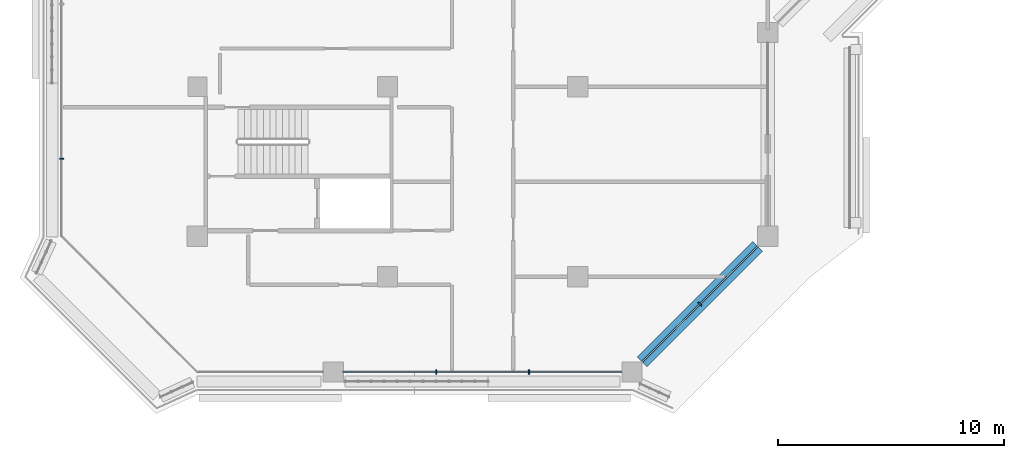
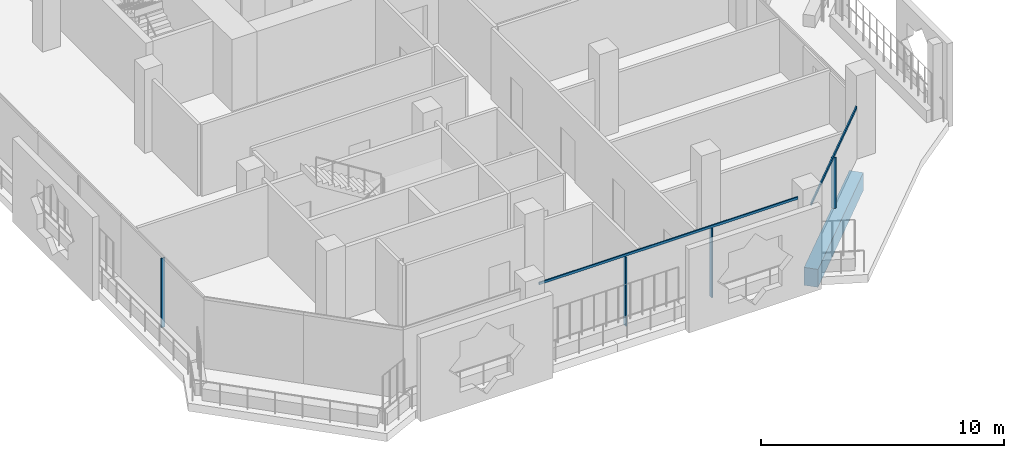
# One storey, part 2 of 22: 6 members, 1 beam, 3 elements without a shape of their own.
"""IFC4 building model written with IfcOpenShell, lengths in metres."""

import ifcopenshell
import ifcopenshell.guid

model = None  # the IFC model being written
_history = None  # IfcOwnerHistory: only IFC2X3 demands one
_inside = {}  # id of a spatial element -> (the spatial element, [elements in it])
_under = {}  # id of a project, library or spatial element -> (it, [spatial elements below it])
_declared = {}  # id of a project -> (the project, [libraries it declares])
_typed = {}  # id of a type object -> (the type object, [elements of that type])
_made_of = {}  # id of a material, layer set ... -> (it, [elements and type objects made of it])


def new_model(schema):
    """Start an empty IFC model of exactly this schema.

    Asked for "IFC4X3", IfcOpenShell would pick the latest addendum, in which some entities
    have other attributes; the version numbers below select the first issue.
    IFC2X3 requires an IfcOwnerHistory on every rooted entity: one is made here for all.
    """
    global model, _history
    if schema == "IFC4X3":
        model = ifcopenshell.file(schema_version=(4, 3, 0, 0))
    else:
        model = ifcopenshell.file(schema=schema)
    _inside.clear()
    _under.clear()
    _declared.clear()
    _typed.clear()
    _made_of.clear()
    _history = None
    if model.schema == "IFC2X3":
        org = make("IfcOrganization", Name="unknown")
        user = make(
            "IfcPersonAndOrganization",
            ThePerson=make("IfcPerson", FamilyName="unknown"),
            TheOrganization=org,
        )
        app = make(
            "IfcApplication",
            ApplicationDeveloper=org,
            Version="unknown",
            ApplicationFullName="unknown",
            ApplicationIdentifier="unknown",
        )
        _history = make(
            "IfcOwnerHistory",
            OwningUser=user,
            OwningApplication=app,
            ChangeAction="ADDED",
            CreationDate=0,
        )
    return model


def make(cls, **values):
    """One entity of the class cls with the attributes given. An attribute that is None is left unset."""
    return model.create_entity(
        cls, **{name: value for name, value in values.items() if value is not None}
    )


def rooted(cls, **values):
    """An entity with a GlobalId (a new one), such as an element, a storey or a relation."""
    return make(cls, GlobalId=ifcopenshell.guid.new(), OwnerHistory=_history, **values)


def si_unit(unit_type, name, prefix=None):
    """IfcSIUnit, for example si_unit("LENGTHUNIT", "METRE", prefix="MILLI")."""
    return make("IfcSIUnit", UnitType=unit_type, Prefix=prefix, Name=name)


def assignment(units):
    """IfcUnitAssignment: the units of a project."""
    return None if units is None else make("IfcUnitAssignment", Units=units)


def point(xyz):
    """IfcCartesianPoint."""
    return None if xyz is None else make("IfcCartesianPoint", Coordinates=xyz)


def direction(xyz):
    """IfcDirection."""
    return None if xyz is None else make("IfcDirection", DirectionRatios=xyz)


def frame(location, z_axis=None, x_axis=None):
    """IfcAxis2Placement3D, a coordinate frame: its origin and axes. An axis left out is left unset."""
    return make(
        "IfcAxis2Placement3D",
        Location=point(location),
        Axis=direction(z_axis),
        RefDirection=direction(x_axis),
    )


def frame_2d(location, x_axis=None):
    """IfcAxis2Placement2D, a coordinate frame in the plane: its origin and x axis."""
    return make(
        "IfcAxis2Placement2D", Location=point(location), RefDirection=direction(x_axis)
    )


def origin():
    """The frame at (0, 0, 0) with its axes left unset."""
    return frame((0.0, 0.0, 0.0))


def origin_2d():
    """The frame at (0, 0) in the plane with its x axis left unset."""
    return frame_2d((0.0, 0.0))


def place(relative_to, where):
    """IfcLocalPlacement: puts the frame where relative to a parent placement (None: the world)."""
    return make(
        "IfcLocalPlacement", PlacementRelTo=relative_to, RelativePlacement=where
    )


def context(
    kind, dimensions, precision=None, world=None, true_north=None, identifier=None
):
    """IfcGeometricRepresentationContext, for example the 3D "Model" context."""
    return make(
        "IfcGeometricRepresentationContext",
        ContextIdentifier=identifier,
        ContextType=kind,
        CoordinateSpaceDimension=dimensions,
        Precision=precision,
        WorldCoordinateSystem=world,
        TrueNorth=true_north,
    )


def subcontext(parent, identifier, kind, view, scale=None):
    """IfcGeometricRepresentationSubContext, for example "Body" below "Model"."""
    return make(
        "IfcGeometricRepresentationSubContext",
        ContextIdentifier=identifier,
        ContextType=kind,
        ParentContext=parent,
        TargetScale=scale,
        TargetView=view,
    )


def project(units=None, contexts=None):
    """IfcProject with its units and contexts."""
    return rooted(
        "IfcProject",
        Name="project",
        RepresentationContexts=contexts,
        UnitsInContext=assignment(units),
    )


def spatial(cls, under=None, at=None, **own):
    """A site, building, storey or space (cls), placed at a placement, below another one or the project."""
    s = rooted(cls, ObjectPlacement=at, **own)
    if under is not None:
        _under.setdefault(under.id(), (under, []))[1].append(s)
    return s


def profile(cls, at=None, kind="AREA", **sizes):
    """A parametric profile (cls). Its sizes go by their IFC names, for example OverallWidth=200.0."""
    return make(cls, ProfileType=kind, Position=at, **sizes)


def rectangle(**sizes):
    """IfcRectangleProfileDef."""
    return profile("IfcRectangleProfileDef", **sizes)


def extrude(swept, where, along, depth):
    """IfcExtrudedAreaSolid: the profile swept, set in the frame where, extruded along a direction by depth."""
    return make(
        "IfcExtrudedAreaSolid",
        SweptArea=swept,
        Position=where,
        ExtrudedDirection=direction(along),
        Depth=depth,
    )


def shape(context_of_items, identifier, shape_type, items):
    """IfcShapeRepresentation: the items that make up one representation, for example the "Body"."""
    return make(
        "IfcShapeRepresentation",
        ContextOfItems=context_of_items,
        RepresentationIdentifier=identifier,
        RepresentationType=shape_type,
        Items=items,
    )


def material(Name=None, Category=None):
    """IfcMaterial."""
    return make("IfcMaterial", Name=Name, Category=Category)


def layer(
    of_material, thickness, ventilated=None, Name=None, Category=None, Priority=None
):
    """IfcMaterialLayer: one layer of a wall or slab, of a material (None: an air gap)."""
    return make(
        "IfcMaterialLayer",
        Material=of_material,
        LayerThickness=thickness,
        IsVentilated=ventilated,
        Name=Name,
        Category=Category,
        Priority=Priority,
    )


def layer_set(layers, Name=None):
    """IfcMaterialLayerSet."""
    return make("IfcMaterialLayerSet", MaterialLayers=layers, LayerSetName=Name)


def material_profile(
    of_material, cross_section, Name=None, Category=None, Priority=None
):
    """IfcMaterialProfile: a cross section and its material."""
    return make(
        "IfcMaterialProfile",
        Name=Name,
        Material=of_material,
        Profile=cross_section,
        Priority=Priority,
        Category=Category,
    )


def profile_set(profiles, Name=None, composite=None):
    """IfcMaterialProfileSet."""
    return make(
        "IfcMaterialProfileSet",
        Name=Name,
        MaterialProfiles=profiles,
        CompositeProfile=composite,
    )


def made_of(thing, what):
    """Note that an element or type object is made of a material, layer set ...; save() writes the relation."""
    if what is not None:
        _made_of.setdefault(what.id(), (what, []))[1].append(thing)
    return thing


def type_object(cls, material=None, **own):
    """A type object (cls), such as IfcWallType, which elements share."""
    return made_of(rooted(cls, **own), material)


def element(
    cls,
    number,
    at=None,
    inside=None,
    cuts=None,
    type_object=None,
    material=None,
    context=None,
    identifier="Body",
    shape_type=None,
    held_by="IfcProductDefinitionShape",
    body=None,
    shapes=None,
    **own,
):
    """One element of the class cls, such as IfcWall. Its Tag is "e" and its number.

    at: its placement. inside: the storey or other place that contains it. cuts: it is an
    opening in that element (IfcRelVoidsElement). A single representation is given by context,
    identifier, shape_type and body (its items); several are given by shapes. held_by: the class
    of the entity that holds the representations. save() writes the other relations.
    """
    e = rooted(cls, Tag="e%d" % number, ObjectPlacement=at, **own)
    if body is not None:
        shapes = [shape(context, identifier, shape_type, body)]
    if shapes is not None:
        e.Representation = make(held_by, Representations=shapes)
    if inside is not None:
        _inside.setdefault(inside.id(), (inside, []))[1].append(e)
    if cuts is not None:
        rooted(
            "IfcRelVoidsElement", RelatingBuildingElement=cuts, RelatedOpeningElement=e
        )
    if type_object is not None:
        _typed.setdefault(type_object.id(), (type_object, []))[1].append(e)
    return made_of(e, material)


def aggregate(whole, parts):
    """IfcRelAggregates: a whole, such as a stair, and the parts it consists of."""
    return rooted("IfcRelAggregates", RelatingObject=whole, RelatedObjects=parts)


def save(model, path):
    """Write the relations noted so far, then the file.

    IfcRelAggregates (storeys below a building ...), IfcRelContainedInSpatialStructure (elements
    in a storey), IfcRelDefinesByType, IfcRelAssociatesMaterial and IfcRelDeclares: one each for
    every whole, place, type object, material and project.
    """
    for whole, parts in _under.values():
        aggregate(whole, parts)
    for where, things in _inside.values():
        rooted(
            "IfcRelContainedInSpatialStructure",
            RelatedElements=things,
            RelatingStructure=where,
        )
    for kind, things in _typed.values():
        rooted("IfcRelDefinesByType", RelatedObjects=things, RelatingType=kind)
    for what, things in _made_of.values():
        rooted("IfcRelAssociatesMaterial", RelatedObjects=things, RelatingMaterial=what)
    for by, libraries in _declared.values():
        rooted("IfcRelDeclares", RelatingContext=by, RelatedDefinitions=libraries)
    model.write(path)


model = new_model("IFC4")

# Units and contexts
model_context = context("Model", 3, precision=1e-05, world=origin(), true_north=direction((0.0, 1.0)))
body_context = subcontext(model_context, "Body", "Model", "MODEL_VIEW")
ifc_project = project(units=[si_unit("LENGTHUNIT", "METRE"), si_unit("AREAUNIT", "SQUARE_METRE"), si_unit("VOLUMEUNIT", "CUBIC_METRE"), si_unit("PLANEANGLEUNIT", "RADIAN"), si_unit("MASSUNIT", "GRAM", prefix="KILO")], contexts=[model_context])

# Site, building, storey
site_placement = place(None, origin())
site = spatial("IfcSite", under=ifc_project, at=site_placement, CompositionType="ELEMENT")
building_placement = place(site_placement, origin())
building = spatial("IfcBuilding", under=site, at=building_placement, Name="Kawkab Arch Medical Tower", CompositionType="ELEMENT")
storey_placement = place(building_placement, frame((0.0, 0.0, 255.800048828125)))
storey = spatial("IfcBuildingStorey", under=building, at=storey_placement, Name="L59", CompositionType="ELEMENT", Elevation=255.800048828125)

# Curtain wall, member
ifc_material_1 = material(Name="Bronze anodised aluminium curtain wall frame", Category="aluminium")
ifc_layer_1 = layer(ifc_material_1, 0.159912109375)
ifc_layer_set_1 = layer_set([ifc_layer_1], Name="Bronze anodised aluminium curtain wall frame")
curtain_wall_type_1 = type_object("IfcCurtainWallType", Name="CW1 ward curtain wall", PredefinedType="NOTDEFINED", material=ifc_layer_set_1)
placement = place(storey_placement, origin())
curtain_wall_1 = element("IfcCurtainWall", 1, at=placement, inside=storey, type_object=curtain_wall_type_1, Name="CW1 Ward curtain wall R01", PredefinedType="NOTDEFINED")
ifc_material_2 = material(Name="Bronze anodised aluminium curtain wall frame", Category="aluminium")
ifc_material_profile_1 = material_profile(ifc_material_2, rectangle(XDim=0.179931640625, YDim=0.06005859375, at=origin_2d()), Name="AL 60x180")
ifc_profile_set_1 = profile_set([ifc_material_profile_1], Name="Bronze anodised aluminium curtain wall frame")
member_type_1 = type_object("IfcMemberType", Name="CW1 mullion 60 x 180", PredefinedType="MULLION", material=ifc_profile_set_1)
member_1_placement = place(storey_placement, frame((-6.0, -36.780029296875, 0.0), z_axis=(0.0, 0.0, 1.0), x_axis=(1.0, 0.0, 0.0)))
member_1 = element("IfcMember", 2, at=member_1_placement, type_object=member_type_1, Name="CW1 mullion 5.1", PredefinedType="MULLION", context=body_context, shape_type="SweptSolid", body=[
    extrude(rectangle(XDim=0.179931640625, YDim=0.06005859375, at=origin_2d()), origin(), (0.0, 0.0, 1.0), 3.47998046875),
])
aggregate(curtain_wall_1, [member_1])

# Curtain wall, members
curtain_wall_2 = element("IfcCurtainWall", 3, at=placement, inside=storey, type_object=curtain_wall_type_1, Name="CW1 Ward curtain wall R03", PredefinedType="NOTDEFINED")
member_2_placement = place(storey_placement, frame((10.550048828125, -46.199951171875, 0.0), z_axis=(0.0, 0.0, 1.0), x_axis=(0.0, 1.0, 0.0)))
member_2 = element("IfcMember", 4, at=member_2_placement, type_object=member_type_1, Name="CW1 mullion 2.1", PredefinedType="MULLION", context=body_context, shape_type="SweptSolid", body=[
    extrude(rectangle(XDim=0.179931640625, YDim=0.06005859375, at=origin_2d()), origin(), (0.0, 0.0, 1.0), 3.47998046875),
])
member_3_placement = place(storey_placement, frame((14.64990234375, -46.199951171875, 0.0), z_axis=(0.0, 0.0, 1.0), x_axis=(0.0, 1.0, 0.0)))
member_3 = element("IfcMember", 5, at=member_3_placement, type_object=member_type_1, Name="CW1 mullion 2.2", PredefinedType="MULLION", context=body_context, shape_type="SweptSolid", body=[
    extrude(rectangle(XDim=0.179931640625, YDim=0.06005859375, at=origin_2d()), origin(), (0.0, 0.0, 1.0), 3.47998046875),
])
ifc_material_3 = material(Name="Bronze anodised aluminium curtain wall frame", Category="aluminium")
ifc_material_profile_2 = material_profile(ifc_material_3, rectangle(XDim=0.06005859375, YDim=0.1201171875, at=origin_2d()), Name="AL 60x120")
ifc_profile_set_2 = profile_set([ifc_material_profile_2], Name="Bronze anodised aluminium curtain wall frame")
member_type_2 = type_object("IfcMemberType", Name="CW1 transom 120 x 60", PredefinedType="USERDEFINED", material=ifc_profile_set_2)
member_4_placement = place(storey_placement, frame((6.449951171875, -46.199951171875, 3.5400390625), z_axis=(1.0, 0.0, 0.0), x_axis=(0.0, 1.0, 0.0)))
member_4 = element("IfcMember", 6, at=member_4_placement, type_object=member_type_2, Name="CW1 transom 2", ObjectType="TRANSOM", PredefinedType="USERDEFINED", context=body_context, shape_type="SweptSolid", body=[
    extrude(rectangle(XDim=0.06005859375, YDim=0.1201171875, at=origin_2d()), origin(), (0.0, 0.0, 1.0), 12.300048828125),
])
aggregate(curtain_wall_2, [member_4, member_2, member_3])

ifc_material_4 = material(Name="Bronze anodised aluminium curtain wall frame", Category="aluminium")
ifc_layer_2 = layer(ifc_material_4, 0.159912109375)
ifc_layer_set_2 = layer_set([ifc_layer_2], Name="Bronze anodised aluminium curtain wall frame")
curtain_wall_type_2 = type_object("IfcCurtainWallType", Name="CW2 chamfer curtain wall", PredefinedType="NOTDEFINED", material=ifc_layer_set_2)
curtain_wall_3 = element("IfcCurtainWall", 7, at=placement, inside=storey, type_object=curtain_wall_type_2, Name="CW2 Chamfer curtain wall R04", PredefinedType="NOTDEFINED")
ifc_material_5 = material(Name="Bronze anodised aluminium curtain wall frame", Category="aluminium")
ifc_material_profile_3 = material_profile(ifc_material_5, rectangle(XDim=0.199951171875, YDim=0.06005859375, at=origin_2d()), Name="AL 60x200")
ifc_profile_set_3 = profile_set([ifc_material_profile_3], Name="Bronze anodised aluminium curtain wall frame")
member_type_3 = type_object("IfcMemberType", Name="CW2 mullion 60 x 200", PredefinedType="MULLION", material=ifc_profile_set_3)
member_5_placement = place(storey_placement, frame((22.199951171875, -43.199951171875, 0.0), z_axis=(0.0, 0.0, 1.0), x_axis=(-0.707106781187, 0.707106781187, 0.0)))
member_5 = element("IfcMember", 8, at=member_5_placement, type_object=member_type_3, Name="CW2 mullion 1.1", PredefinedType="MULLION", context=body_context, shape_type="SweptSolid", body=[
    extrude(rectangle(XDim=0.199951171875, YDim=0.06005859375, at=origin_2d()), origin(), (0.0, 0.0, 1.0), 2.56005859375),
])
ifc_material_6 = material(Name="Bronze anodised aluminium curtain wall frame", Category="aluminium")
ifc_material_profile_4 = material_profile(ifc_material_6, rectangle(XDim=0.06005859375, YDim=0.139892578125, at=origin_2d()), Name="AL 60x140")
ifc_profile_set_4 = profile_set([ifc_material_profile_4], Name="Bronze anodised aluminium curtain wall frame")
member_type_4 = type_object("IfcMemberType", Name="CW2 transom 140 x 60", PredefinedType="USERDEFINED", material=ifc_profile_set_4)
member_6_placement = place(storey_placement, frame((19.64990234375, -45.75, 2.6298828125), z_axis=(0.707106781187, 0.707106781187, 0.0), x_axis=(-0.707106781187, 0.707106781187, 0.0)))
member_6 = element("IfcMember", 9, at=member_6_placement, type_object=member_type_4, Name="CW2 transom 1", ObjectType="TRANSOM", PredefinedType="USERDEFINED", context=body_context, shape_type="SweptSolid", body=[
    extrude(rectangle(XDim=0.06005859375, YDim=0.139892578125, at=origin_2d()), origin(), (0.0, 0.0, 1.0), 7.212646484375),
])
aggregate(curtain_wall_3, [member_6, member_5])

# Beam
ifc_material_7 = material(Name="Concrete C45/55", Category="concrete")
ifc_material_profile_5 = material_profile(ifc_material_7, rectangle(XDim=0.60009765625, YDim=0.89990234375, at=origin_2d()), Name="RC 600x900")
ifc_profile_set_5 = profile_set([ifc_material_profile_5], Name="Concrete C45/55")
beam_type = type_object("IfcBeamType", Name="RC 600x900 beam C45/55", PredefinedType="BEAM", material=ifc_profile_set_5)
beam_placement = place(storey_placement, frame((24.75, -40.64990234375, -1.050048828125), z_axis=(-0.707106781187, -0.707106781187, 0.0), x_axis=(0.707106781187, -0.707106781187, 0.0)))
element("IfcBeam", 10, at=beam_placement, inside=storey, type_object=beam_type, Name="Overhang edge beam L59-06", PredefinedType="BEAM", context=body_context, shape_type="SweptSolid", body=[
    extrude(rectangle(XDim=0.60009765625, YDim=0.89990234375, at=origin_2d()), origin(), (0.0, 0.0, 1.0), 7.212646484375),
])

save(model, "model.ifc")
